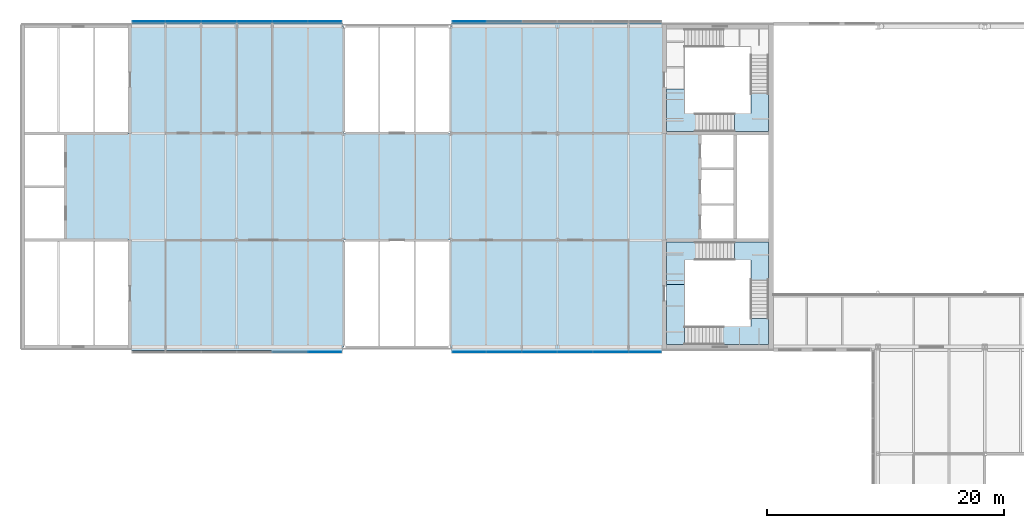
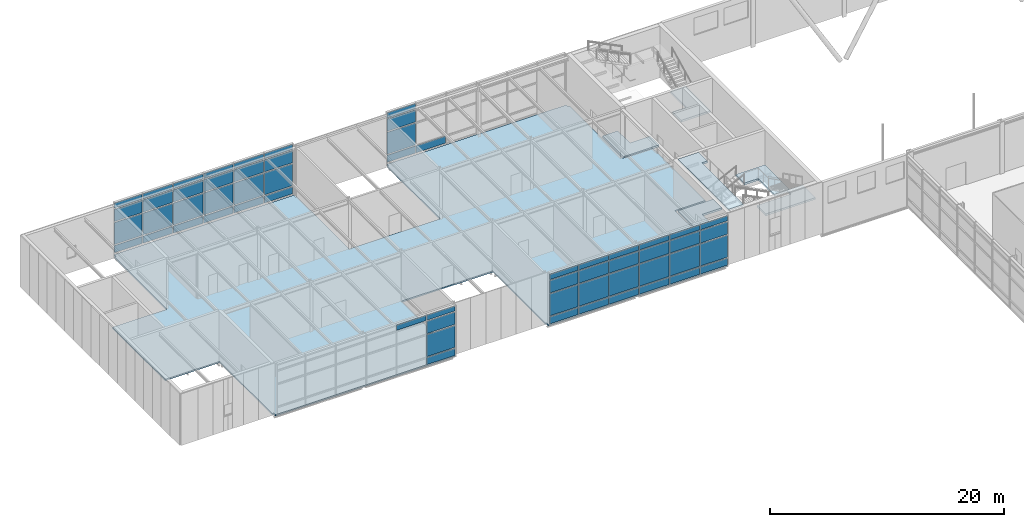
# One storey, part 31 of 46: 58 plates, 7 slabs, 6 elements without a shape of their own.
"""IFC4 building model written with IfcOpenShell, lengths in metres."""

import ifcopenshell
import ifcopenshell.guid

model = None  # the IFC model being written
_history = None  # IfcOwnerHistory: only IFC2X3 demands one
_inside = {}  # id of a spatial element -> (the spatial element, [elements in it])
_under = {}  # id of a project, library or spatial element -> (it, [spatial elements below it])
_declared = {}  # id of a project -> (the project, [libraries it declares])
_typed = {}  # id of a type object -> (the type object, [elements of that type])
_made_of = {}  # id of a material, layer set ... -> (it, [elements and type objects made of it])


def new_model(schema):
    """Start an empty IFC model of exactly this schema.

    Asked for "IFC4X3", IfcOpenShell would pick the latest addendum, in which some entities
    have other attributes; the version numbers below select the first issue.
    IFC2X3 requires an IfcOwnerHistory on every rooted entity: one is made here for all.
    """
    global model, _history
    if schema == "IFC4X3":
        model = ifcopenshell.file(schema_version=(4, 3, 0, 0))
    else:
        model = ifcopenshell.file(schema=schema)
    _inside.clear()
    _under.clear()
    _declared.clear()
    _typed.clear()
    _made_of.clear()
    _history = None
    if model.schema == "IFC2X3":
        org = make("IfcOrganization", Name="unknown")
        user = make(
            "IfcPersonAndOrganization",
            ThePerson=make("IfcPerson", FamilyName="unknown"),
            TheOrganization=org,
        )
        app = make(
            "IfcApplication",
            ApplicationDeveloper=org,
            Version="unknown",
            ApplicationFullName="unknown",
            ApplicationIdentifier="unknown",
        )
        _history = make(
            "IfcOwnerHistory",
            OwningUser=user,
            OwningApplication=app,
            ChangeAction="ADDED",
            CreationDate=0,
        )
    return model


def make(cls, **values):
    """One entity of the class cls with the attributes given. An attribute that is None is left unset."""
    return model.create_entity(
        cls, **{name: value for name, value in values.items() if value is not None}
    )


def rooted(cls, **values):
    """An entity with a GlobalId (a new one), such as an element, a storey or a relation."""
    return make(cls, GlobalId=ifcopenshell.guid.new(), OwnerHistory=_history, **values)


def si_unit(unit_type, name, prefix=None):
    """IfcSIUnit, for example si_unit("LENGTHUNIT", "METRE", prefix="MILLI")."""
    return make("IfcSIUnit", UnitType=unit_type, Prefix=prefix, Name=name)


def assignment(units):
    """IfcUnitAssignment: the units of a project."""
    return None if units is None else make("IfcUnitAssignment", Units=units)


def point(xyz):
    """IfcCartesianPoint."""
    return None if xyz is None else make("IfcCartesianPoint", Coordinates=xyz)


def direction(xyz):
    """IfcDirection."""
    return None if xyz is None else make("IfcDirection", DirectionRatios=xyz)


def frame(location, z_axis=None, x_axis=None):
    """IfcAxis2Placement3D, a coordinate frame: its origin and axes. An axis left out is left unset."""
    return make(
        "IfcAxis2Placement3D",
        Location=point(location),
        Axis=direction(z_axis),
        RefDirection=direction(x_axis),
    )


def frame_2d(location, x_axis=None):
    """IfcAxis2Placement2D, a coordinate frame in the plane: its origin and x axis."""
    return make(
        "IfcAxis2Placement2D", Location=point(location), RefDirection=direction(x_axis)
    )


def origin():
    """The frame at (0, 0, 0) with its axes left unset."""
    return frame((0.0, 0.0, 0.0))


def origin_2d():
    """The frame at (0, 0) in the plane with its x axis left unset."""
    return frame_2d((0.0, 0.0))


def place(relative_to, where):
    """IfcLocalPlacement: puts the frame where relative to a parent placement (None: the world)."""
    return make(
        "IfcLocalPlacement", PlacementRelTo=relative_to, RelativePlacement=where
    )


def context(
    kind, dimensions, precision=None, world=None, true_north=None, identifier=None
):
    """IfcGeometricRepresentationContext, for example the 3D "Model" context."""
    return make(
        "IfcGeometricRepresentationContext",
        ContextIdentifier=identifier,
        ContextType=kind,
        CoordinateSpaceDimension=dimensions,
        Precision=precision,
        WorldCoordinateSystem=world,
        TrueNorth=true_north,
    )


def subcontext(parent, identifier, kind, view, scale=None):
    """IfcGeometricRepresentationSubContext, for example "Body" below "Model"."""
    return make(
        "IfcGeometricRepresentationSubContext",
        ContextIdentifier=identifier,
        ContextType=kind,
        ParentContext=parent,
        TargetScale=scale,
        TargetView=view,
    )


def project(units=None, contexts=None):
    """IfcProject with its units and contexts."""
    return rooted(
        "IfcProject",
        Name="project",
        RepresentationContexts=contexts,
        UnitsInContext=assignment(units),
    )


def spatial(cls, under=None, at=None, **own):
    """A site, building, storey or space (cls), placed at a placement, below another one or the project."""
    s = rooted(cls, ObjectPlacement=at, **own)
    if under is not None:
        _under.setdefault(under.id(), (under, []))[1].append(s)
    return s


def polyline(points):
    """IfcPolyline through the points."""
    return make("IfcPolyline", Points=[point(p) for p in points])


def profile(cls, at=None, kind="AREA", **sizes):
    """A parametric profile (cls). Its sizes go by their IFC names, for example OverallWidth=200.0."""
    return make(cls, ProfileType=kind, Position=at, **sizes)


def rectangle(**sizes):
    """IfcRectangleProfileDef."""
    return profile("IfcRectangleProfileDef", **sizes)


def outline(outer, holes=None, kind="AREA"):
    """IfcArbitraryClosedProfileDef: a profile drawn as a closed curve; with holes, ...WithVoids."""
    if holes is None:
        return make("IfcArbitraryClosedProfileDef", ProfileType=kind, OuterCurve=outer)
    return make(
        "IfcArbitraryProfileDefWithVoids",
        ProfileType=kind,
        OuterCurve=outer,
        InnerCurves=holes,
    )


def extrude(swept, where, along, depth):
    """IfcExtrudedAreaSolid: the profile swept, set in the frame where, extruded along a direction by depth."""
    return make(
        "IfcExtrudedAreaSolid",
        SweptArea=swept,
        Position=where,
        ExtrudedDirection=direction(along),
        Depth=depth,
    )


def shape(context_of_items, identifier, shape_type, items):
    """IfcShapeRepresentation: the items that make up one representation, for example the "Body"."""
    return make(
        "IfcShapeRepresentation",
        ContextOfItems=context_of_items,
        RepresentationIdentifier=identifier,
        RepresentationType=shape_type,
        Items=items,
    )


def material(Name=None, Category=None):
    """IfcMaterial."""
    return make("IfcMaterial", Name=Name, Category=Category)


def layer(
    of_material, thickness, ventilated=None, Name=None, Category=None, Priority=None
):
    """IfcMaterialLayer: one layer of a wall or slab, of a material (None: an air gap)."""
    return make(
        "IfcMaterialLayer",
        Material=of_material,
        LayerThickness=thickness,
        IsVentilated=ventilated,
        Name=Name,
        Category=Category,
        Priority=Priority,
    )


def layer_set(layers, Name=None):
    """IfcMaterialLayerSet."""
    return make("IfcMaterialLayerSet", MaterialLayers=layers, LayerSetName=Name)


def made_of(thing, what):
    """Note that an element or type object is made of a material, layer set ...; save() writes the relation."""
    if what is not None:
        _made_of.setdefault(what.id(), (what, []))[1].append(thing)
    return thing


def type_object(cls, material=None, **own):
    """A type object (cls), such as IfcWallType, which elements share."""
    return made_of(rooted(cls, **own), material)


def element(
    cls,
    number,
    at=None,
    inside=None,
    cuts=None,
    type_object=None,
    material=None,
    context=None,
    identifier="Body",
    shape_type=None,
    held_by="IfcProductDefinitionShape",
    body=None,
    shapes=None,
    **own,
):
    """One element of the class cls, such as IfcWall. Its Tag is "e" and its number.

    at: its placement. inside: the storey or other place that contains it. cuts: it is an
    opening in that element (IfcRelVoidsElement). A single representation is given by context,
    identifier, shape_type and body (its items); several are given by shapes. held_by: the class
    of the entity that holds the representations. save() writes the other relations.
    """
    e = rooted(cls, Tag="e%d" % number, ObjectPlacement=at, **own)
    if body is not None:
        shapes = [shape(context, identifier, shape_type, body)]
    if shapes is not None:
        e.Representation = make(held_by, Representations=shapes)
    if inside is not None:
        _inside.setdefault(inside.id(), (inside, []))[1].append(e)
    if cuts is not None:
        rooted(
            "IfcRelVoidsElement", RelatingBuildingElement=cuts, RelatedOpeningElement=e
        )
    if type_object is not None:
        _typed.setdefault(type_object.id(), (type_object, []))[1].append(e)
    return made_of(e, material)


def aggregate(whole, parts):
    """IfcRelAggregates: a whole, such as a stair, and the parts it consists of."""
    return rooted("IfcRelAggregates", RelatingObject=whole, RelatedObjects=parts)


def save(model, path):
    """Write the relations noted so far, then the file.

    IfcRelAggregates (storeys below a building ...), IfcRelContainedInSpatialStructure (elements
    in a storey), IfcRelDefinesByType, IfcRelAssociatesMaterial and IfcRelDeclares: one each for
    every whole, place, type object, material and project.
    """
    for whole, parts in _under.values():
        aggregate(whole, parts)
    for where, things in _inside.values():
        rooted(
            "IfcRelContainedInSpatialStructure",
            RelatedElements=things,
            RelatingStructure=where,
        )
    for kind, things in _typed.values():
        rooted("IfcRelDefinesByType", RelatedObjects=things, RelatingType=kind)
    for what, things in _made_of.values():
        rooted("IfcRelAssociatesMaterial", RelatedObjects=things, RelatingMaterial=what)
    for by, libraries in _declared.values():
        rooted("IfcRelDeclares", RelatingContext=by, RelatedDefinitions=libraries)
    model.write(path)


model = new_model("IFC4")

# Units and contexts
model_context = context("Model", 3, precision=1e-05, world=origin(), true_north=direction((0.0, 1.0)))
body_context = subcontext(model_context, "Body", "Model", "MODEL_VIEW")
ifc_project = project(units=[si_unit("LENGTHUNIT", "METRE"), si_unit("AREAUNIT", "SQUARE_METRE"), si_unit("VOLUMEUNIT", "CUBIC_METRE"), si_unit("PLANEANGLEUNIT", "RADIAN"), si_unit("MASSUNIT", "GRAM", prefix="KILO")], contexts=[model_context])

# Site, building, storey
site_placement = place(None, origin())
site = spatial("IfcSite", under=ifc_project, at=site_placement, CompositionType="ELEMENT")
building_placement = place(site_placement, origin())
building = spatial("IfcBuilding", under=site, at=building_placement, Name="Azimuth Sports and Learning Centre", CompositionType="ELEMENT")
storey_placement = place(building_placement, frame((0.0, 0.0, 21.60009765625)))
storey = spatial("IfcBuildingStorey", under=building, at=storey_placement, Name="L04", CompositionType="ELEMENT", Elevation=21.60009765625)

# Slab
ifc_material_1 = material(Name="Concrete C30/37", Category="concrete")
ifc_layer_1 = layer(ifc_material_1, 0.14990234375)
ifc_layer_set_1 = layer_set([ifc_layer_1], Name="Concrete C30/37")
slab_type_1 = type_object("IfcSlabType", Name="Composite floor slab 150", PredefinedType="FLOOR", material=ifc_layer_set_1)
slab_1_placement = place(storey_placement, frame((0.0, 0.0, -0.150146484375)))
element("IfcSlab", 1, at=slab_1_placement, inside=storey, type_object=slab_type_1, Name="Slab West wing L04", PredefinedType="FLOOR", context=body_context, shape_type="SweptSolid", body=[
    extrude(outline(polyline([(9.14990234375, 89.699951171875), (26.89990234375, 89.699951171875), (26.89990234375, 90.0), (27.0, 90.0), (27.0, 99.0), (36.0, 99.0), (36.0, 90.0), (36.10009765625, 90.0), (36.10009765625, 89.699951171875), (53.800048828125, 89.699951171875), (53.800048828125, 90.0), (54.0, 90.0), (54.0, 99.0), (57.0, 99.0), (57.0, 108.0), (54.0, 108.0), (54.0, 117.0), (53.800048828125, 117.0), (53.800048828125, 117.300048828125), (36.10009765625, 117.300048828125), (36.10009765625, 117.0), (36.0, 117.0), (36.0, 108.0), (27.0, 108.0), (27.0, 117.0), (26.89990234375, 117.0), (26.89990234375, 117.300048828125), (9.14990234375, 117.300048828125), (9.14990234375, 117.0), (9.0, 117.0), (9.0, 108.0), (3.60009765625, 108.0), (3.60009765625, 99.0), (9.0, 99.0), (9.0, 90.0), (9.14990234375, 90.0), (9.14990234375, 89.699951171875)])), origin(), (0.0, 0.0, 1.0), 0.150146484375),
])

# Stair, slabs
ifc_material_2 = material(Name="Concrete C32/40", Category="concrete")
stair_type = type_object("IfcStairType", Name="Square-well stair core 5400 storey", PredefinedType="THREE_QUARTER_TURN_STAIR", material=ifc_material_2)
stair_1_placement = place(storey_placement, origin())
stair_1 = element("IfcStair", 2, at=stair_1_placement, inside=storey, type_object=stair_type, Name="Stair W1 L04-L05", PredefinedType="THREE_QUARTER_TURN_STAIR")
ifc_material_3 = material(Name="Concrete C32/40", Category="concrete")
ifc_layer_2 = layer(ifc_material_3, 0.199951171875)
ifc_layer_set_2 = layer_set([ifc_layer_2], Name="Concrete C32/40")
slab_type_2 = type_object("IfcSlabType", Name="Concrete stair landing", PredefinedType="LANDING", material=ifc_layer_set_2)
slab_2_placement = place(storey_placement, frame((0.0, 0.0, -0.2001953125)))
slab_2 = element("IfcSlab", 3, at=slab_2_placement, type_object=slab_type_2, Name="Stair W1 L04 landing 1", PredefinedType="LANDING", context=body_context, shape_type="SweptSolid", body=[
    extrude(outline(polyline([(54.2099609375, 98.840087890625), (54.2099609375, 95.25), (55.7099609375, 95.25), (55.7099609375, 97.340087890625), (57.7099609375, 97.340087890625), (57.7099609375, 98.840087890625), (54.2099609375, 98.840087890625)])), origin(), (0.0, 0.0, 1.0), 0.2001953125),
])
slab_3_placement = place(storey_placement, frame((0.0, 0.0, 1.599853515625)))
slab_3 = element("IfcSlab", 4, at=slab_3_placement, type_object=slab_type_2, Name="Stair W1 L04 landing 2", PredefinedType="LANDING", context=body_context, shape_type="SweptSolid", body=[
    extrude(outline(polyline([(61.2900390625, 97.340087890625), (61.2900390625, 94.590087890625), (62.7900390625, 94.590087890625), (62.7900390625, 98.840087890625), (59.9091796875, 98.840087890625), (59.9091796875, 97.340087890625), (61.2900390625, 97.340087890625)])), origin(), (0.0, 0.0, 1.0), 0.199951171875),
])
slab_4_placement = place(storey_placement, frame((0.0, 0.0, 3.39990234375)))
slab_4 = element("IfcSlab", 5, at=slab_4_placement, type_object=slab_type_2, Name="Stair W1 L04 landing 3", PredefinedType="LANDING", context=body_context, shape_type="SweptSolid", body=[
    extrude(outline(polyline([(61.2900390625, 91.7099609375), (57.909912109375, 91.7099609375), (57.909912109375, 90.2099609375), (62.7900390625, 90.2099609375), (62.7900390625, 92.390625), (61.2900390625, 92.390625), (61.2900390625, 91.7099609375)])), origin(), (0.0, 0.0, 1.0), 0.199951171875),
])
slab_5_placement = place(storey_placement, frame((0.0, 0.0, 5.199951171875)))
slab_5 = element("IfcSlab", 6, at=slab_5_placement, type_object=slab_type_2, Name="Stair W1 L04 landing 4", PredefinedType="LANDING", context=body_context, shape_type="SweptSolid", body=[
    extrude(outline(polyline([(55.7099609375, 91.7099609375), (55.7099609375, 97.340087890625), (56.25, 97.340087890625), (56.25, 98.840087890625), (54.2099609375, 98.840087890625), (54.2099609375, 90.2099609375), (55.710693359375, 90.2099609375), (55.710693359375, 91.7099609375), (55.7099609375, 91.7099609375)])), origin(), (0.0, 0.0, 1.0), 0.199951171875),
])
aggregate(stair_1, [slab_2, slab_3, slab_4, slab_5])

stair_2_placement = place(storey_placement, origin())
stair_2 = element("IfcStair", 7, at=stair_2_placement, inside=storey, type_object=stair_type, Name="Stair W2 L04-L05", PredefinedType="THREE_QUARTER_TURN_STAIR")
slab_6_placement = place(storey_placement, frame((0.0, 0.0, -0.2001953125)))
slab_6 = element("IfcSlab", 8, at=slab_6_placement, type_object=slab_type_2, Name="Stair W2 L04 landing 1", PredefinedType="LANDING", context=body_context, shape_type="SweptSolid", body=[
    extrude(outline(polyline([(57.7099609375, 109.659912109375), (55.7099609375, 109.659912109375), (55.7099609375, 111.75), (54.2099609375, 111.75), (54.2099609375, 108.159912109375), (57.7099609375, 108.159912109375), (57.7099609375, 109.659912109375)])), origin(), (0.0, 0.0, 1.0), 0.2001953125),
])
slab_7_placement = place(storey_placement, frame((0.0, 0.0, 1.599853515625)))
slab_7 = element("IfcSlab", 9, at=slab_7_placement, type_object=slab_type_2, Name="Stair W2 L04 landing 2", PredefinedType="LANDING", context=body_context, shape_type="SweptSolid", body=[
    extrude(outline(polyline([(61.2900390625, 109.659912109375), (59.9091796875, 109.659912109375), (59.9091796875, 108.159912109375), (62.7900390625, 108.159912109375), (62.7900390625, 112.409912109375), (61.2900390625, 112.409912109375), (61.2900390625, 109.659912109375)])), origin(), (0.0, 0.0, 1.0), 0.199951171875),
])
aggregate(stair_2, [slab_6, slab_7])

# Curtain wall, plates
ifc_material_4 = material(Name="Aluminium and glass", Category="aluminium")
curtain_wall_type = type_object("IfcCurtainWallType", Name="Curtain wall podium wing 240", PredefinedType="NOTDEFINED", material=ifc_material_4)
curtain_wall_1_placement = place(storey_placement, origin())
curtain_wall_1 = element("IfcCurtainWall", 10, at=curtain_wall_1_placement, inside=storey, type_object=curtain_wall_type, Name="Curtain wall CW04-001", PredefinedType="NOTDEFINED")
ifc_material_5 = material(Name="Insulated aluminium panel", Category="aluminium")
ifc_layer_3 = layer(ifc_material_5, 0.06005859375)
ifc_layer_set_3 = layer_set([ifc_layer_3], Name="Insulated aluminium panel")
plate_type_1 = type_object("IfcPlateType", Name="Spandrel panel 60 mm", PredefinedType="CURTAIN_PANEL", material=ifc_layer_set_3)
plate_1_placement = place(storey_placement, frame((22.5, 89.580078125, 4.760009765625), z_axis=(0.0, 0.0, 1.0), x_axis=(1.0, 0.0, 0.0)))
plate_1 = element("IfcPlate", 11, at=plate_1_placement, type_object=plate_type_1, Name="CW04-001 panel 5.4", PredefinedType="CURTAIN_PANEL", context=body_context, shape_type="SweptSolid", body=[
    extrude(rectangle(XDim=2.919921875, YDim=0.06005859375, at=origin_2d()), origin(), (0.0, 0.0, 1.0), 0.52001953125),
])
plate_2_placement = place(storey_placement, frame((25.429931640625, 89.580078125, 0.1201171875), z_axis=(0.0, 0.0, 1.0), x_axis=(1.0, 0.0, 0.0)))
plate_2 = element("IfcPlate", 12, at=plate_2_placement, type_object=plate_type_1, Name="CW04-001 panel 6.1", PredefinedType="CURTAIN_PANEL", context=body_context, shape_type="SweptSolid", body=[
    extrude(rectangle(XDim=2.780029296875, YDim=0.06005859375, at=origin_2d()), origin(), (0.0, 0.0, 1.0), 0.719970703125),
])
plate_3_placement = place(storey_placement, frame((25.429931640625, 89.580078125, 4.760009765625), z_axis=(0.0, 0.0, 1.0), x_axis=(1.0, 0.0, 0.0)))
plate_3 = element("IfcPlate", 13, at=plate_3_placement, type_object=plate_type_1, Name="CW04-001 panel 6.4", PredefinedType="CURTAIN_PANEL", context=body_context, shape_type="SweptSolid", body=[
    extrude(rectangle(XDim=2.780029296875, YDim=0.06005859375, at=origin_2d()), origin(), (0.0, 0.0, 1.0), 0.52001953125),
])

curtain_wall_2_placement = place(storey_placement, origin())
curtain_wall_2 = element("IfcCurtainWall", 14, at=curtain_wall_2_placement, inside=storey, type_object=curtain_wall_type, Name="Curtain wall CW04-002", PredefinedType="NOTDEFINED")
plate_4_placement = place(storey_placement, frame((37.570068359375, 89.580078125, 0.1201171875), z_axis=(0.0, 0.0, 1.0), x_axis=(1.0, 0.0, 0.0)))
plate_4 = element("IfcPlate", 15, at=plate_4_placement, type_object=plate_type_1, Name="CW04-002 panel 1.1", PredefinedType="CURTAIN_PANEL", context=body_context, shape_type="SweptSolid", body=[
    extrude(rectangle(XDim=2.780029296875, YDim=0.06005859375, at=origin_2d()), origin(), (0.0, 0.0, 1.0), 0.719970703125),
])
plate_5_placement = place(storey_placement, frame((37.570068359375, 89.580078125, 4.760009765625), z_axis=(0.0, 0.0, 1.0), x_axis=(1.0, 0.0, 0.0)))
plate_5 = element("IfcPlate", 16, at=plate_5_placement, type_object=plate_type_1, Name="CW04-002 panel 1.4", PredefinedType="CURTAIN_PANEL", context=body_context, shape_type="SweptSolid", body=[
    extrude(rectangle(XDim=2.780029296875, YDim=0.06005859375, at=origin_2d()), origin(), (0.0, 0.0, 1.0), 0.52001953125),
])
plate_6_placement = place(storey_placement, frame((40.5, 89.580078125, 0.1201171875), z_axis=(0.0, 0.0, 1.0), x_axis=(1.0, 0.0, 0.0)))
plate_6 = element("IfcPlate", 17, at=plate_6_placement, type_object=plate_type_1, Name="CW04-002 panel 2.1", PredefinedType="CURTAIN_PANEL", context=body_context, shape_type="SweptSolid", body=[
    extrude(rectangle(XDim=2.919921875, YDim=0.06005859375, at=origin_2d()), origin(), (0.0, 0.0, 1.0), 0.719970703125),
])
plate_7_placement = place(storey_placement, frame((40.5, 89.580078125, 4.760009765625), z_axis=(0.0, 0.0, 1.0), x_axis=(1.0, 0.0, 0.0)))
plate_7 = element("IfcPlate", 18, at=plate_7_placement, type_object=plate_type_1, Name="CW04-002 panel 2.4", PredefinedType="CURTAIN_PANEL", context=body_context, shape_type="SweptSolid", body=[
    extrude(rectangle(XDim=2.919921875, YDim=0.06005859375, at=origin_2d()), origin(), (0.0, 0.0, 1.0), 0.52001953125),
])
plate_8_placement = place(storey_placement, frame((43.5, 89.580078125, 0.1201171875), z_axis=(0.0, 0.0, 1.0), x_axis=(1.0, 0.0, 0.0)))
plate_8 = element("IfcPlate", 19, at=plate_8_placement, type_object=plate_type_1, Name="CW04-002 panel 3.1", PredefinedType="CURTAIN_PANEL", context=body_context, shape_type="SweptSolid", body=[
    extrude(rectangle(XDim=2.919921875, YDim=0.06005859375, at=origin_2d()), origin(), (0.0, 0.0, 1.0), 0.719970703125),
])
plate_9_placement = place(storey_placement, frame((43.5, 89.580078125, 4.760009765625), z_axis=(0.0, 0.0, 1.0), x_axis=(1.0, 0.0, 0.0)))
plate_9 = element("IfcPlate", 20, at=plate_9_placement, type_object=plate_type_1, Name="CW04-002 panel 3.4", PredefinedType="CURTAIN_PANEL", context=body_context, shape_type="SweptSolid", body=[
    extrude(rectangle(XDim=2.919921875, YDim=0.06005859375, at=origin_2d()), origin(), (0.0, 0.0, 1.0), 0.52001953125),
])
plate_10_placement = place(storey_placement, frame((46.5, 89.580078125, 0.1201171875), z_axis=(0.0, 0.0, 1.0), x_axis=(1.0, 0.0, 0.0)))
plate_10 = element("IfcPlate", 21, at=plate_10_placement, type_object=plate_type_1, Name="CW04-002 panel 4.1", PredefinedType="CURTAIN_PANEL", context=body_context, shape_type="SweptSolid", body=[
    extrude(rectangle(XDim=2.919921875, YDim=0.06005859375, at=origin_2d()), origin(), (0.0, 0.0, 1.0), 0.719970703125),
])
plate_11_placement = place(storey_placement, frame((46.5, 89.580078125, 4.760009765625), z_axis=(0.0, 0.0, 1.0), x_axis=(1.0, 0.0, 0.0)))
plate_11 = element("IfcPlate", 22, at=plate_11_placement, type_object=plate_type_1, Name="CW04-002 panel 4.4", PredefinedType="CURTAIN_PANEL", context=body_context, shape_type="SweptSolid", body=[
    extrude(rectangle(XDim=2.919921875, YDim=0.06005859375, at=origin_2d()), origin(), (0.0, 0.0, 1.0), 0.52001953125),
])
plate_12_placement = place(storey_placement, frame((49.5, 89.580078125, 0.1201171875), z_axis=(0.0, 0.0, 1.0), x_axis=(1.0, 0.0, 0.0)))
plate_12 = element("IfcPlate", 23, at=plate_12_placement, type_object=plate_type_1, Name="CW04-002 panel 5.1", PredefinedType="CURTAIN_PANEL", context=body_context, shape_type="SweptSolid", body=[
    extrude(rectangle(XDim=2.919921875, YDim=0.06005859375, at=origin_2d()), origin(), (0.0, 0.0, 1.0), 0.719970703125),
])
plate_13_placement = place(storey_placement, frame((49.5, 89.580078125, 4.760009765625), z_axis=(0.0, 0.0, 1.0), x_axis=(1.0, 0.0, 0.0)))
plate_13 = element("IfcPlate", 24, at=plate_13_placement, type_object=plate_type_1, Name="CW04-002 panel 5.4", PredefinedType="CURTAIN_PANEL", context=body_context, shape_type="SweptSolid", body=[
    extrude(rectangle(XDim=2.919921875, YDim=0.06005859375, at=origin_2d()), origin(), (0.0, 0.0, 1.0), 0.52001953125),
])
plate_14_placement = place(storey_placement, frame((52.3798828125, 89.580078125, 0.1201171875), z_axis=(0.0, 0.0, 1.0), x_axis=(1.0, 0.0, 0.0)))
plate_14 = element("IfcPlate", 25, at=plate_14_placement, type_object=plate_type_1, Name="CW04-002 panel 6.1", PredefinedType="CURTAIN_PANEL", context=body_context, shape_type="SweptSolid", body=[
    extrude(rectangle(XDim=2.679931640625, YDim=0.06005859375, at=origin_2d()), origin(), (0.0, 0.0, 1.0), 0.719970703125),
])
plate_15_placement = place(storey_placement, frame((52.3798828125, 89.580078125, 4.760009765625), z_axis=(0.0, 0.0, 1.0), x_axis=(1.0, 0.0, 0.0)))
plate_15 = element("IfcPlate", 26, at=plate_15_placement, type_object=plate_type_1, Name="CW04-002 panel 6.4", PredefinedType="CURTAIN_PANEL", context=body_context, shape_type="SweptSolid", body=[
    extrude(rectangle(XDim=2.679931640625, YDim=0.06005859375, at=origin_2d()), origin(), (0.0, 0.0, 1.0), 0.52001953125),
])

curtain_wall_3_placement = place(storey_placement, origin())
curtain_wall_3 = element("IfcCurtainWall", 27, at=curtain_wall_3_placement, inside=storey, type_object=curtain_wall_type, Name="Curtain wall CW04-013", PredefinedType="NOTDEFINED")
plate_16_placement = place(storey_placement, frame((40.5, 117.419921875, 0.1201171875), z_axis=(0.0, 0.0, 1.0), x_axis=(-1.0, 0.0, 0.0)))
plate_16 = element("IfcPlate", 28, at=plate_16_placement, type_object=plate_type_1, Name="CW04-013 panel 5.1", PredefinedType="CURTAIN_PANEL", context=body_context, shape_type="SweptSolid", body=[
    extrude(rectangle(XDim=2.919921875, YDim=0.06005859375, at=origin_2d()), origin(), (0.0, 0.0, 1.0), 0.719970703125),
])
plate_17_placement = place(storey_placement, frame((37.570068359375, 117.419921875, 0.1201171875), z_axis=(0.0, 0.0, 1.0), x_axis=(-1.0, 0.0, 0.0)))
plate_17 = element("IfcPlate", 29, at=plate_17_placement, type_object=plate_type_1, Name="CW04-013 panel 6.1", PredefinedType="CURTAIN_PANEL", context=body_context, shape_type="SweptSolid", body=[
    extrude(rectangle(XDim=2.780029296875, YDim=0.06005859375, at=origin_2d()), origin(), (0.0, 0.0, 1.0), 0.719970703125),
])
plate_18_placement = place(storey_placement, frame((37.570068359375, 117.419921875, 4.760009765625), z_axis=(0.0, 0.0, 1.0), x_axis=(-1.0, 0.0, 0.0)))
plate_18 = element("IfcPlate", 30, at=plate_18_placement, type_object=plate_type_1, Name="CW04-013 panel 6.4", PredefinedType="CURTAIN_PANEL", context=body_context, shape_type="SweptSolid", body=[
    extrude(rectangle(XDim=2.780029296875, YDim=0.06005859375, at=origin_2d()), origin(), (0.0, 0.0, 1.0), 0.52001953125),
])

curtain_wall_4_placement = place(storey_placement, origin())
curtain_wall_4 = element("IfcCurtainWall", 31, at=curtain_wall_4_placement, inside=storey, type_object=curtain_wall_type, Name="Curtain wall CW04-014", PredefinedType="NOTDEFINED")
plate_19_placement = place(storey_placement, frame((25.429931640625, 117.419921875, 0.1201171875), z_axis=(0.0, 0.0, 1.0), x_axis=(-1.0, 0.0, 0.0)))
plate_19 = element("IfcPlate", 32, at=plate_19_placement, type_object=plate_type_1, Name="CW04-014 panel 1.1", PredefinedType="CURTAIN_PANEL", context=body_context, shape_type="SweptSolid", body=[
    extrude(rectangle(XDim=2.780029296875, YDim=0.06005859375, at=origin_2d()), origin(), (0.0, 0.0, 1.0), 0.719970703125),
])
plate_20_placement = place(storey_placement, frame((25.429931640625, 117.419921875, 4.760009765625), z_axis=(0.0, 0.0, 1.0), x_axis=(-1.0, 0.0, 0.0)))
plate_20 = element("IfcPlate", 33, at=plate_20_placement, type_object=plate_type_1, Name="CW04-014 panel 1.4", PredefinedType="CURTAIN_PANEL", context=body_context, shape_type="SweptSolid", body=[
    extrude(rectangle(XDim=2.780029296875, YDim=0.06005859375, at=origin_2d()), origin(), (0.0, 0.0, 1.0), 0.52001953125),
])
plate_21_placement = place(storey_placement, frame((22.5, 117.419921875, 0.1201171875), z_axis=(0.0, 0.0, 1.0), x_axis=(-1.0, 0.0, 0.0)))
plate_21 = element("IfcPlate", 34, at=plate_21_placement, type_object=plate_type_1, Name="CW04-014 panel 2.1", PredefinedType="CURTAIN_PANEL", context=body_context, shape_type="SweptSolid", body=[
    extrude(rectangle(XDim=2.919921875, YDim=0.06005859375, at=origin_2d()), origin(), (0.0, 0.0, 1.0), 0.719970703125),
])
plate_22_placement = place(storey_placement, frame((22.5, 117.419921875, 4.760009765625), z_axis=(0.0, 0.0, 1.0), x_axis=(-1.0, 0.0, 0.0)))
plate_22 = element("IfcPlate", 35, at=plate_22_placement, type_object=plate_type_1, Name="CW04-014 panel 2.4", PredefinedType="CURTAIN_PANEL", context=body_context, shape_type="SweptSolid", body=[
    extrude(rectangle(XDim=2.919921875, YDim=0.06005859375, at=origin_2d()), origin(), (0.0, 0.0, 1.0), 0.52001953125),
])
plate_23_placement = place(storey_placement, frame((19.5, 117.419921875, 0.1201171875), z_axis=(0.0, 0.0, 1.0), x_axis=(-1.0, 0.0, 0.0)))
plate_23 = element("IfcPlate", 36, at=plate_23_placement, type_object=plate_type_1, Name="CW04-014 panel 3.1", PredefinedType="CURTAIN_PANEL", context=body_context, shape_type="SweptSolid", body=[
    extrude(rectangle(XDim=2.919921875, YDim=0.06005859375, at=origin_2d()), origin(), (0.0, 0.0, 1.0), 0.719970703125),
])
plate_24_placement = place(storey_placement, frame((19.5, 117.419921875, 4.760009765625), z_axis=(0.0, 0.0, 1.0), x_axis=(-1.0, 0.0, 0.0)))
plate_24 = element("IfcPlate", 37, at=plate_24_placement, type_object=plate_type_1, Name="CW04-014 panel 3.4", PredefinedType="CURTAIN_PANEL", context=body_context, shape_type="SweptSolid", body=[
    extrude(rectangle(XDim=2.919921875, YDim=0.06005859375, at=origin_2d()), origin(), (0.0, 0.0, 1.0), 0.52001953125),
])
plate_25_placement = place(storey_placement, frame((16.5, 117.419921875, 0.1201171875), z_axis=(0.0, 0.0, 1.0), x_axis=(-1.0, 0.0, 0.0)))
plate_25 = element("IfcPlate", 38, at=plate_25_placement, type_object=plate_type_1, Name="CW04-014 panel 4.1", PredefinedType="CURTAIN_PANEL", context=body_context, shape_type="SweptSolid", body=[
    extrude(rectangle(XDim=2.919921875, YDim=0.06005859375, at=origin_2d()), origin(), (0.0, 0.0, 1.0), 0.719970703125),
])
plate_26_placement = place(storey_placement, frame((16.5, 117.419921875, 4.760009765625), z_axis=(0.0, 0.0, 1.0), x_axis=(-1.0, 0.0, 0.0)))
plate_26 = element("IfcPlate", 39, at=plate_26_placement, type_object=plate_type_1, Name="CW04-014 panel 4.4", PredefinedType="CURTAIN_PANEL", context=body_context, shape_type="SweptSolid", body=[
    extrude(rectangle(XDim=2.919921875, YDim=0.06005859375, at=origin_2d()), origin(), (0.0, 0.0, 1.0), 0.52001953125),
])
plate_27_placement = place(storey_placement, frame((13.5, 117.419921875, 0.1201171875), z_axis=(0.0, 0.0, 1.0), x_axis=(-1.0, 0.0, 0.0)))
plate_27 = element("IfcPlate", 40, at=plate_27_placement, type_object=plate_type_1, Name="CW04-014 panel 5.1", PredefinedType="CURTAIN_PANEL", context=body_context, shape_type="SweptSolid", body=[
    extrude(rectangle(XDim=2.919921875, YDim=0.06005859375, at=origin_2d()), origin(), (0.0, 0.0, 1.0), 0.719970703125),
])
plate_28_placement = place(storey_placement, frame((13.5, 117.419921875, 4.760009765625), z_axis=(0.0, 0.0, 1.0), x_axis=(-1.0, 0.0, 0.0)))
plate_28 = element("IfcPlate", 41, at=plate_28_placement, type_object=plate_type_1, Name="CW04-014 panel 5.4", PredefinedType="CURTAIN_PANEL", context=body_context, shape_type="SweptSolid", body=[
    extrude(rectangle(XDim=2.919921875, YDim=0.06005859375, at=origin_2d()), origin(), (0.0, 0.0, 1.0), 0.52001953125),
])
plate_29_placement = place(storey_placement, frame((10.594970703125, 117.419921875, 0.1201171875), z_axis=(0.0, 0.0, 1.0), x_axis=(-1.0, 0.0, 0.0)))
plate_29 = element("IfcPlate", 42, at=plate_29_placement, type_object=plate_type_1, Name="CW04-014 panel 6.1", PredefinedType="CURTAIN_PANEL", context=body_context, shape_type="SweptSolid", body=[
    extrude(rectangle(XDim=2.72998046875, YDim=0.06005859375, at=origin_2d()), origin(), (0.0, 0.0, 1.0), 0.719970703125),
])
plate_30_placement = place(storey_placement, frame((10.594970703125, 117.419921875, 4.760009765625), z_axis=(0.0, 0.0, 1.0), x_axis=(-1.0, 0.0, 0.0)))
plate_30 = element("IfcPlate", 43, at=plate_30_placement, type_object=plate_type_1, Name="CW04-014 panel 6.4", PredefinedType="CURTAIN_PANEL", context=body_context, shape_type="SweptSolid", body=[
    extrude(rectangle(XDim=2.72998046875, YDim=0.06005859375, at=origin_2d()), origin(), (0.0, 0.0, 1.0), 0.52001953125),
])

# Plate
ifc_material_6 = material(Name="Glass", Category="glass")
ifc_layer_4 = layer(ifc_material_6, 0.0439453125)
ifc_layer_set_4 = layer_set([ifc_layer_4], Name="Glass")
plate_type_2 = type_object("IfcPlateType", Name="Vision glass 44 mm", PredefinedType="CURTAIN_PANEL", material=ifc_layer_set_4)
plate_31_placement = place(storey_placement, frame((25.429931640625, 89.580078125, 0.9599609375), z_axis=(0.0, 0.0, 1.0), x_axis=(1.0, 0.0, 0.0)))
plate_31 = element("IfcPlate", 44, at=plate_31_placement, type_object=plate_type_2, Name="CW04-001 panel 6.2", PredefinedType="CURTAIN_PANEL", context=body_context, shape_type="SweptSolid", body=[
    extrude(rectangle(XDim=2.780029296875, YDim=0.0439453125, at=origin_2d()), origin(), (0.0, 0.0, 1.0), 2.280029296875),
])

plate_32_placement = place(storey_placement, frame((25.429931640625, 89.580078125, 3.35986328125), z_axis=(0.0, 0.0, 1.0), x_axis=(1.0, 0.0, 0.0)))
plate_32 = element("IfcPlate", 45, at=plate_32_placement, type_object=plate_type_2, Name="CW04-001 panel 6.3", PredefinedType="CURTAIN_PANEL", context=body_context, shape_type="SweptSolid", body=[
    extrude(rectangle(XDim=2.780029296875, YDim=0.0439453125, at=origin_2d()), origin(), (0.0, 0.0, 1.0), 1.280029296875),
])

aggregate(curtain_wall_1, [plate_1, plate_2, plate_31, plate_32, plate_3])

plate_33_placement = place(storey_placement, frame((37.570068359375, 89.580078125, 0.9599609375), z_axis=(0.0, 0.0, 1.0), x_axis=(1.0, 0.0, 0.0)))
plate_33 = element("IfcPlate", 46, at=plate_33_placement, type_object=plate_type_2, Name="CW04-002 panel 1.2", PredefinedType="CURTAIN_PANEL", context=body_context, shape_type="SweptSolid", body=[
    extrude(rectangle(XDim=2.780029296875, YDim=0.0439453125, at=origin_2d()), origin(), (0.0, 0.0, 1.0), 2.280029296875),
])

plate_34_placement = place(storey_placement, frame((37.570068359375, 89.580078125, 3.35986328125), z_axis=(0.0, 0.0, 1.0), x_axis=(1.0, 0.0, 0.0)))
plate_34 = element("IfcPlate", 47, at=plate_34_placement, type_object=plate_type_2, Name="CW04-002 panel 1.3", PredefinedType="CURTAIN_PANEL", context=body_context, shape_type="SweptSolid", body=[
    extrude(rectangle(XDim=2.780029296875, YDim=0.0439453125, at=origin_2d()), origin(), (0.0, 0.0, 1.0), 1.280029296875),
])

plate_35_placement = place(storey_placement, frame((40.5, 89.580078125, 0.9599609375), z_axis=(0.0, 0.0, 1.0), x_axis=(1.0, 0.0, 0.0)))
plate_35 = element("IfcPlate", 48, at=plate_35_placement, type_object=plate_type_2, Name="CW04-002 panel 2.2", PredefinedType="CURTAIN_PANEL", context=body_context, shape_type="SweptSolid", body=[
    extrude(rectangle(XDim=2.919921875, YDim=0.0439453125, at=origin_2d()), origin(), (0.0, 0.0, 1.0), 2.280029296875),
])

plate_36_placement = place(storey_placement, frame((40.5, 89.580078125, 3.35986328125), z_axis=(0.0, 0.0, 1.0), x_axis=(1.0, 0.0, 0.0)))
plate_36 = element("IfcPlate", 49, at=plate_36_placement, type_object=plate_type_2, Name="CW04-002 panel 2.3", PredefinedType="CURTAIN_PANEL", context=body_context, shape_type="SweptSolid", body=[
    extrude(rectangle(XDim=2.919921875, YDim=0.0439453125, at=origin_2d()), origin(), (0.0, 0.0, 1.0), 1.280029296875),
])

plate_37_placement = place(storey_placement, frame((43.5, 89.580078125, 0.9599609375), z_axis=(0.0, 0.0, 1.0), x_axis=(1.0, 0.0, 0.0)))
plate_37 = element("IfcPlate", 50, at=plate_37_placement, type_object=plate_type_2, Name="CW04-002 panel 3.2", PredefinedType="CURTAIN_PANEL", context=body_context, shape_type="SweptSolid", body=[
    extrude(rectangle(XDim=2.919921875, YDim=0.0439453125, at=origin_2d()), origin(), (0.0, 0.0, 1.0), 2.280029296875),
])

plate_38_placement = place(storey_placement, frame((43.5, 89.580078125, 3.35986328125), z_axis=(0.0, 0.0, 1.0), x_axis=(1.0, 0.0, 0.0)))
plate_38 = element("IfcPlate", 51, at=plate_38_placement, type_object=plate_type_2, Name="CW04-002 panel 3.3", PredefinedType="CURTAIN_PANEL", context=body_context, shape_type="SweptSolid", body=[
    extrude(rectangle(XDim=2.919921875, YDim=0.0439453125, at=origin_2d()), origin(), (0.0, 0.0, 1.0), 1.280029296875),
])

plate_39_placement = place(storey_placement, frame((46.5, 89.580078125, 0.9599609375), z_axis=(0.0, 0.0, 1.0), x_axis=(1.0, 0.0, 0.0)))
plate_39 = element("IfcPlate", 52, at=plate_39_placement, type_object=plate_type_2, Name="CW04-002 panel 4.2", PredefinedType="CURTAIN_PANEL", context=body_context, shape_type="SweptSolid", body=[
    extrude(rectangle(XDim=2.919921875, YDim=0.0439453125, at=origin_2d()), origin(), (0.0, 0.0, 1.0), 2.280029296875),
])

plate_40_placement = place(storey_placement, frame((46.5, 89.580078125, 3.35986328125), z_axis=(0.0, 0.0, 1.0), x_axis=(1.0, 0.0, 0.0)))
plate_40 = element("IfcPlate", 53, at=plate_40_placement, type_object=plate_type_2, Name="CW04-002 panel 4.3", PredefinedType="CURTAIN_PANEL", context=body_context, shape_type="SweptSolid", body=[
    extrude(rectangle(XDim=2.919921875, YDim=0.0439453125, at=origin_2d()), origin(), (0.0, 0.0, 1.0), 1.280029296875),
])

plate_41_placement = place(storey_placement, frame((49.5, 89.580078125, 0.9599609375), z_axis=(0.0, 0.0, 1.0), x_axis=(1.0, 0.0, 0.0)))
plate_41 = element("IfcPlate", 54, at=plate_41_placement, type_object=plate_type_2, Name="CW04-002 panel 5.2", PredefinedType="CURTAIN_PANEL", context=body_context, shape_type="SweptSolid", body=[
    extrude(rectangle(XDim=2.919921875, YDim=0.0439453125, at=origin_2d()), origin(), (0.0, 0.0, 1.0), 2.280029296875),
])

plate_42_placement = place(storey_placement, frame((49.5, 89.580078125, 3.35986328125), z_axis=(0.0, 0.0, 1.0), x_axis=(1.0, 0.0, 0.0)))
plate_42 = element("IfcPlate", 55, at=plate_42_placement, type_object=plate_type_2, Name="CW04-002 panel 5.3", PredefinedType="CURTAIN_PANEL", context=body_context, shape_type="SweptSolid", body=[
    extrude(rectangle(XDim=2.919921875, YDim=0.0439453125, at=origin_2d()), origin(), (0.0, 0.0, 1.0), 1.280029296875),
])

plate_43_placement = place(storey_placement, frame((52.3798828125, 89.580078125, 0.9599609375), z_axis=(0.0, 0.0, 1.0), x_axis=(1.0, 0.0, 0.0)))
plate_43 = element("IfcPlate", 56, at=plate_43_placement, type_object=plate_type_2, Name="CW04-002 panel 6.2", PredefinedType="CURTAIN_PANEL", context=body_context, shape_type="SweptSolid", body=[
    extrude(rectangle(XDim=2.679931640625, YDim=0.0439453125, at=origin_2d()), origin(), (0.0, 0.0, 1.0), 2.280029296875),
])

plate_44_placement = place(storey_placement, frame((52.3798828125, 89.580078125, 3.35986328125), z_axis=(0.0, 0.0, 1.0), x_axis=(1.0, 0.0, 0.0)))
plate_44 = element("IfcPlate", 57, at=plate_44_placement, type_object=plate_type_2, Name="CW04-002 panel 6.3", PredefinedType="CURTAIN_PANEL", context=body_context, shape_type="SweptSolid", body=[
    extrude(rectangle(XDim=2.679931640625, YDim=0.0439453125, at=origin_2d()), origin(), (0.0, 0.0, 1.0), 1.280029296875),
])

aggregate(curtain_wall_2, [plate_4, plate_33, plate_34, plate_5, plate_6, plate_35, plate_36, plate_7, plate_8, plate_37, plate_38, plate_9, plate_10, plate_39, plate_40, plate_11, plate_12, plate_41, plate_42, plate_13, plate_14, plate_43, plate_44, plate_15])

plate_45_placement = place(storey_placement, frame((37.570068359375, 117.419921875, 0.9599609375), z_axis=(0.0, 0.0, 1.0), x_axis=(-1.0, 0.0, 0.0)))
plate_45 = element("IfcPlate", 58, at=plate_45_placement, type_object=plate_type_2, Name="CW04-013 panel 6.2", PredefinedType="CURTAIN_PANEL", context=body_context, shape_type="SweptSolid", body=[
    extrude(rectangle(XDim=2.780029296875, YDim=0.0439453125, at=origin_2d()), origin(), (0.0, 0.0, 1.0), 2.280029296875),
])

plate_46_placement = place(storey_placement, frame((37.570068359375, 117.419921875, 3.35986328125), z_axis=(0.0, 0.0, 1.0), x_axis=(-1.0, 0.0, 0.0)))
plate_46 = element("IfcPlate", 59, at=plate_46_placement, type_object=plate_type_2, Name="CW04-013 panel 6.3", PredefinedType="CURTAIN_PANEL", context=body_context, shape_type="SweptSolid", body=[
    extrude(rectangle(XDim=2.780029296875, YDim=0.0439453125, at=origin_2d()), origin(), (0.0, 0.0, 1.0), 1.280029296875),
])

aggregate(curtain_wall_3, [plate_16, plate_17, plate_45, plate_46, plate_18])

plate_47_placement = place(storey_placement, frame((25.429931640625, 117.419921875, 0.9599609375), z_axis=(0.0, 0.0, 1.0), x_axis=(-1.0, 0.0, 0.0)))
plate_47 = element("IfcPlate", 60, at=plate_47_placement, type_object=plate_type_2, Name="CW04-014 panel 1.2", PredefinedType="CURTAIN_PANEL", context=body_context, shape_type="SweptSolid", body=[
    extrude(rectangle(XDim=2.780029296875, YDim=0.0439453125, at=origin_2d()), origin(), (0.0, 0.0, 1.0), 2.280029296875),
])

plate_48_placement = place(storey_placement, frame((25.429931640625, 117.419921875, 3.35986328125), z_axis=(0.0, 0.0, 1.0), x_axis=(-1.0, 0.0, 0.0)))
plate_48 = element("IfcPlate", 61, at=plate_48_placement, type_object=plate_type_2, Name="CW04-014 panel 1.3", PredefinedType="CURTAIN_PANEL", context=body_context, shape_type="SweptSolid", body=[
    extrude(rectangle(XDim=2.780029296875, YDim=0.0439453125, at=origin_2d()), origin(), (0.0, 0.0, 1.0), 1.280029296875),
])

plate_49_placement = place(storey_placement, frame((22.5, 117.419921875, 0.9599609375), z_axis=(0.0, 0.0, 1.0), x_axis=(-1.0, 0.0, 0.0)))
plate_49 = element("IfcPlate", 62, at=plate_49_placement, type_object=plate_type_2, Name="CW04-014 panel 2.2", PredefinedType="CURTAIN_PANEL", context=body_context, shape_type="SweptSolid", body=[
    extrude(rectangle(XDim=2.919921875, YDim=0.0439453125, at=origin_2d()), origin(), (0.0, 0.0, 1.0), 2.280029296875),
])

plate_50_placement = place(storey_placement, frame((22.5, 117.419921875, 3.35986328125), z_axis=(0.0, 0.0, 1.0), x_axis=(-1.0, 0.0, 0.0)))
plate_50 = element("IfcPlate", 63, at=plate_50_placement, type_object=plate_type_2, Name="CW04-014 panel 2.3", PredefinedType="CURTAIN_PANEL", context=body_context, shape_type="SweptSolid", body=[
    extrude(rectangle(XDim=2.919921875, YDim=0.0439453125, at=origin_2d()), origin(), (0.0, 0.0, 1.0), 1.280029296875),
])

plate_51_placement = place(storey_placement, frame((19.5, 117.419921875, 0.9599609375), z_axis=(0.0, 0.0, 1.0), x_axis=(-1.0, 0.0, 0.0)))
plate_51 = element("IfcPlate", 64, at=plate_51_placement, type_object=plate_type_2, Name="CW04-014 panel 3.2", PredefinedType="CURTAIN_PANEL", context=body_context, shape_type="SweptSolid", body=[
    extrude(rectangle(XDim=2.919921875, YDim=0.0439453125, at=origin_2d()), origin(), (0.0, 0.0, 1.0), 2.280029296875),
])

plate_52_placement = place(storey_placement, frame((19.5, 117.419921875, 3.35986328125), z_axis=(0.0, 0.0, 1.0), x_axis=(-1.0, 0.0, 0.0)))
plate_52 = element("IfcPlate", 65, at=plate_52_placement, type_object=plate_type_2, Name="CW04-014 panel 3.3", PredefinedType="CURTAIN_PANEL", context=body_context, shape_type="SweptSolid", body=[
    extrude(rectangle(XDim=2.919921875, YDim=0.0439453125, at=origin_2d()), origin(), (0.0, 0.0, 1.0), 1.280029296875),
])

plate_53_placement = place(storey_placement, frame((16.5, 117.419921875, 0.9599609375), z_axis=(0.0, 0.0, 1.0), x_axis=(-1.0, 0.0, 0.0)))
plate_53 = element("IfcPlate", 66, at=plate_53_placement, type_object=plate_type_2, Name="CW04-014 panel 4.2", PredefinedType="CURTAIN_PANEL", context=body_context, shape_type="SweptSolid", body=[
    extrude(rectangle(XDim=2.919921875, YDim=0.0439453125, at=origin_2d()), origin(), (0.0, 0.0, 1.0), 2.280029296875),
])

plate_54_placement = place(storey_placement, frame((16.5, 117.419921875, 3.35986328125), z_axis=(0.0, 0.0, 1.0), x_axis=(-1.0, 0.0, 0.0)))
plate_54 = element("IfcPlate", 67, at=plate_54_placement, type_object=plate_type_2, Name="CW04-014 panel 4.3", PredefinedType="CURTAIN_PANEL", context=body_context, shape_type="SweptSolid", body=[
    extrude(rectangle(XDim=2.919921875, YDim=0.0439453125, at=origin_2d()), origin(), (0.0, 0.0, 1.0), 1.280029296875),
])

plate_55_placement = place(storey_placement, frame((13.5, 117.419921875, 0.9599609375), z_axis=(0.0, 0.0, 1.0), x_axis=(-1.0, 0.0, 0.0)))
plate_55 = element("IfcPlate", 68, at=plate_55_placement, type_object=plate_type_2, Name="CW04-014 panel 5.2", PredefinedType="CURTAIN_PANEL", context=body_context, shape_type="SweptSolid", body=[
    extrude(rectangle(XDim=2.919921875, YDim=0.0439453125, at=origin_2d()), origin(), (0.0, 0.0, 1.0), 2.280029296875),
])

plate_56_placement = place(storey_placement, frame((13.5, 117.419921875, 3.35986328125), z_axis=(0.0, 0.0, 1.0), x_axis=(-1.0, 0.0, 0.0)))
plate_56 = element("IfcPlate", 69, at=plate_56_placement, type_object=plate_type_2, Name="CW04-014 panel 5.3", PredefinedType="CURTAIN_PANEL", context=body_context, shape_type="SweptSolid", body=[
    extrude(rectangle(XDim=2.919921875, YDim=0.0439453125, at=origin_2d()), origin(), (0.0, 0.0, 1.0), 1.280029296875),
])

plate_57_placement = place(storey_placement, frame((10.594970703125, 117.419921875, 0.9599609375), z_axis=(0.0, 0.0, 1.0), x_axis=(-1.0, 0.0, 0.0)))
plate_57 = element("IfcPlate", 70, at=plate_57_placement, type_object=plate_type_2, Name="CW04-014 panel 6.2", PredefinedType="CURTAIN_PANEL", context=body_context, shape_type="SweptSolid", body=[
    extrude(rectangle(XDim=2.72998046875, YDim=0.0439453125, at=origin_2d()), origin(), (0.0, 0.0, 1.0), 2.280029296875),
])

plate_58_placement = place(storey_placement, frame((10.594970703125, 117.419921875, 3.35986328125), z_axis=(0.0, 0.0, 1.0), x_axis=(-1.0, 0.0, 0.0)))
plate_58 = element("IfcPlate", 71, at=plate_58_placement, type_object=plate_type_2, Name="CW04-014 panel 6.3", PredefinedType="CURTAIN_PANEL", context=body_context, shape_type="SweptSolid", body=[
    extrude(rectangle(XDim=2.72998046875, YDim=0.0439453125, at=origin_2d()), origin(), (0.0, 0.0, 1.0), 1.280029296875),
])

aggregate(curtain_wall_4, [plate_19, plate_47, plate_48, plate_20, plate_21, plate_49, plate_50, plate_22, plate_23, plate_51, plate_52, plate_24, plate_25, plate_53, plate_54, plate_26, plate_27, plate_55, plate_56, plate_28, plate_29, plate_57, plate_58, plate_30])

save(model, "model.ifc")
